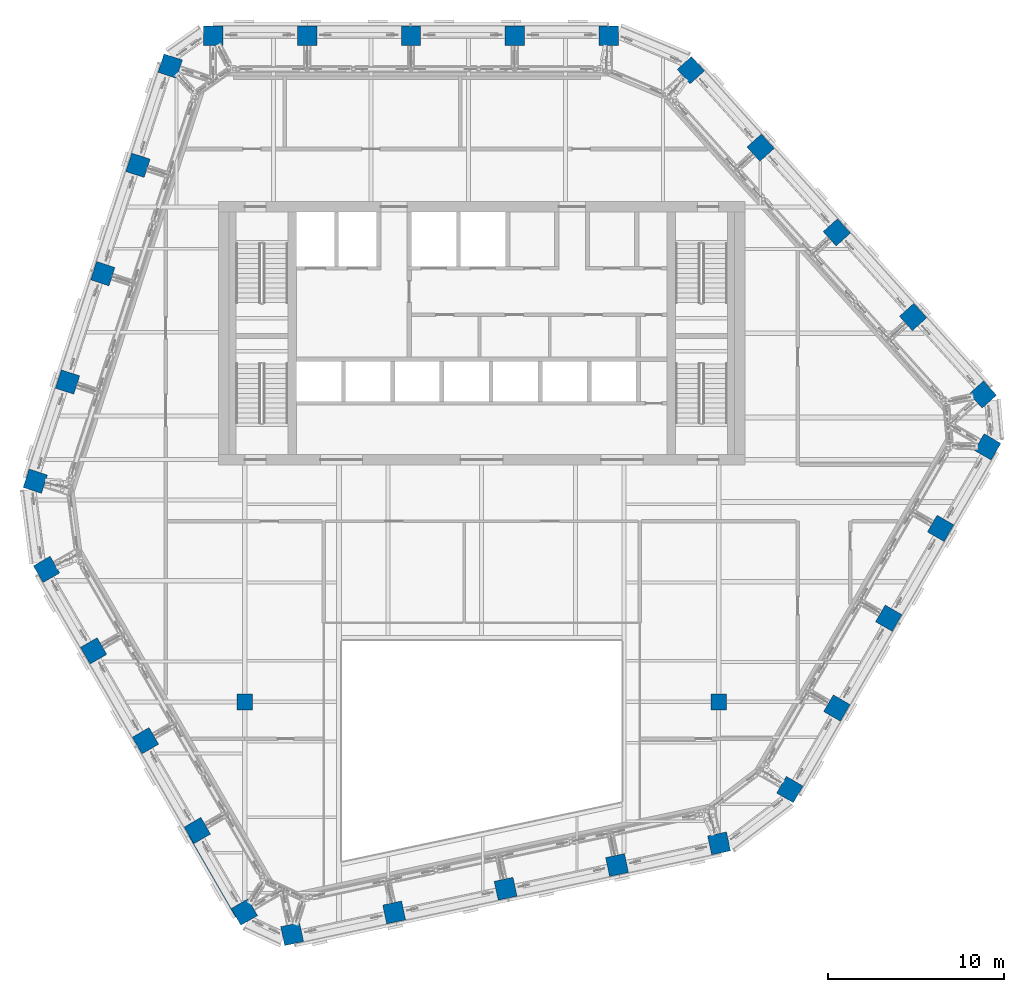
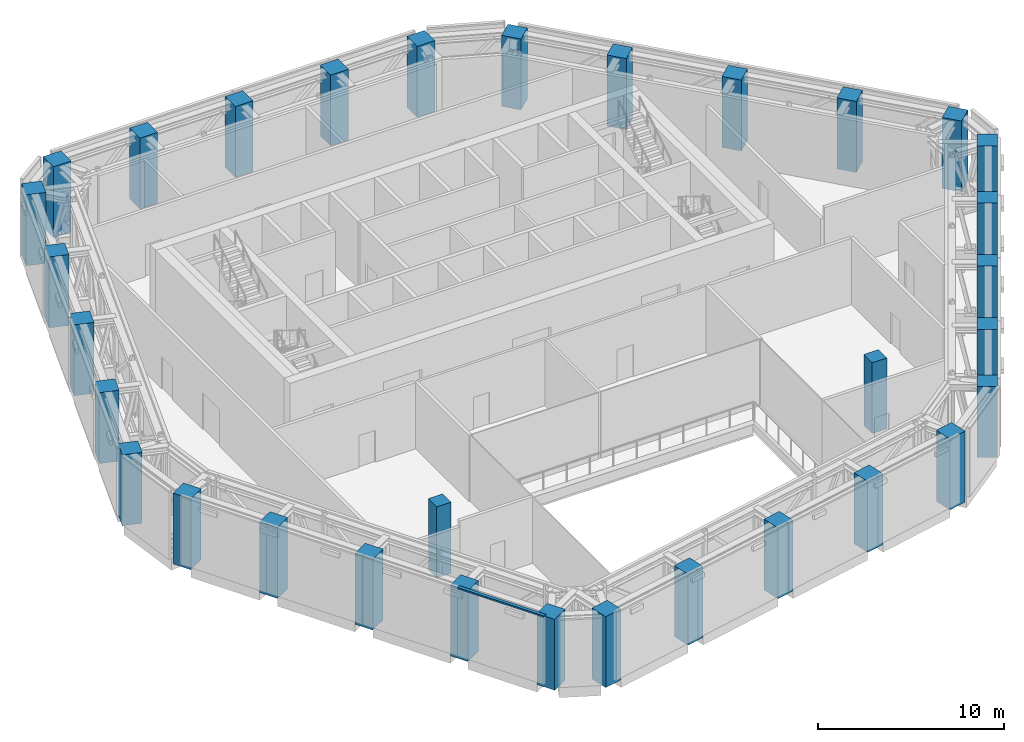
# One storey, part 1 of 25: 32 columns, 1 member, 1 element without a shape of its own.
"""IFC4 building model written with IfcOpenShell, lengths in metres."""

import ifcopenshell
import ifcopenshell.guid

model = None  # the IFC model being written
_history = None  # IfcOwnerHistory: only IFC2X3 demands one
_inside = {}  # id of a spatial element -> (the spatial element, [elements in it])
_under = {}  # id of a project, library or spatial element -> (it, [spatial elements below it])
_declared = {}  # id of a project -> (the project, [libraries it declares])
_typed = {}  # id of a type object -> (the type object, [elements of that type])
_made_of = {}  # id of a material, layer set ... -> (it, [elements and type objects made of it])


def new_model(schema):
    """Start an empty IFC model of exactly this schema.

    Asked for "IFC4X3", IfcOpenShell would pick the latest addendum, in which some entities
    have other attributes; the version numbers below select the first issue.
    IFC2X3 requires an IfcOwnerHistory on every rooted entity: one is made here for all.
    """
    global model, _history
    if schema == "IFC4X3":
        model = ifcopenshell.file(schema_version=(4, 3, 0, 0))
    else:
        model = ifcopenshell.file(schema=schema)
    _inside.clear()
    _under.clear()
    _declared.clear()
    _typed.clear()
    _made_of.clear()
    _history = None
    if model.schema == "IFC2X3":
        org = make("IfcOrganization", Name="unknown")
        user = make(
            "IfcPersonAndOrganization",
            ThePerson=make("IfcPerson", FamilyName="unknown"),
            TheOrganization=org,
        )
        app = make(
            "IfcApplication",
            ApplicationDeveloper=org,
            Version="unknown",
            ApplicationFullName="unknown",
            ApplicationIdentifier="unknown",
        )
        _history = make(
            "IfcOwnerHistory",
            OwningUser=user,
            OwningApplication=app,
            ChangeAction="ADDED",
            CreationDate=0,
        )
    return model


def make(cls, **values):
    """One entity of the class cls with the attributes given. An attribute that is None is left unset."""
    return model.create_entity(
        cls, **{name: value for name, value in values.items() if value is not None}
    )


def rooted(cls, **values):
    """An entity with a GlobalId (a new one), such as an element, a storey or a relation."""
    return make(cls, GlobalId=ifcopenshell.guid.new(), OwnerHistory=_history, **values)


def si_unit(unit_type, name, prefix=None):
    """IfcSIUnit, for example si_unit("LENGTHUNIT", "METRE", prefix="MILLI")."""
    return make("IfcSIUnit", UnitType=unit_type, Prefix=prefix, Name=name)


def assignment(units):
    """IfcUnitAssignment: the units of a project."""
    return None if units is None else make("IfcUnitAssignment", Units=units)


def point(xyz):
    """IfcCartesianPoint."""
    return None if xyz is None else make("IfcCartesianPoint", Coordinates=xyz)


def direction(xyz):
    """IfcDirection."""
    return None if xyz is None else make("IfcDirection", DirectionRatios=xyz)


def frame(location, z_axis=None, x_axis=None):
    """IfcAxis2Placement3D, a coordinate frame: its origin and axes. An axis left out is left unset."""
    return make(
        "IfcAxis2Placement3D",
        Location=point(location),
        Axis=direction(z_axis),
        RefDirection=direction(x_axis),
    )


def frame_2d(location, x_axis=None):
    """IfcAxis2Placement2D, a coordinate frame in the plane: its origin and x axis."""
    return make(
        "IfcAxis2Placement2D", Location=point(location), RefDirection=direction(x_axis)
    )


def origin():
    """The frame at (0, 0, 0) with its axes left unset."""
    return frame((0.0, 0.0, 0.0))


def origin_2d():
    """The frame at (0, 0) in the plane with its x axis left unset."""
    return frame_2d((0.0, 0.0))


def place(relative_to, where):
    """IfcLocalPlacement: puts the frame where relative to a parent placement (None: the world)."""
    return make(
        "IfcLocalPlacement", PlacementRelTo=relative_to, RelativePlacement=where
    )


def context(
    kind, dimensions, precision=None, world=None, true_north=None, identifier=None
):
    """IfcGeometricRepresentationContext, for example the 3D "Model" context."""
    return make(
        "IfcGeometricRepresentationContext",
        ContextIdentifier=identifier,
        ContextType=kind,
        CoordinateSpaceDimension=dimensions,
        Precision=precision,
        WorldCoordinateSystem=world,
        TrueNorth=true_north,
    )


def subcontext(parent, identifier, kind, view, scale=None):
    """IfcGeometricRepresentationSubContext, for example "Body" below "Model"."""
    return make(
        "IfcGeometricRepresentationSubContext",
        ContextIdentifier=identifier,
        ContextType=kind,
        ParentContext=parent,
        TargetScale=scale,
        TargetView=view,
    )


def project(units=None, contexts=None):
    """IfcProject with its units and contexts."""
    return rooted(
        "IfcProject",
        Name="project",
        RepresentationContexts=contexts,
        UnitsInContext=assignment(units),
    )


def spatial(cls, under=None, at=None, **own):
    """A site, building, storey or space (cls), placed at a placement, below another one or the project."""
    s = rooted(cls, ObjectPlacement=at, **own)
    if under is not None:
        _under.setdefault(under.id(), (under, []))[1].append(s)
    return s


def profile(cls, at=None, kind="AREA", **sizes):
    """A parametric profile (cls). Its sizes go by their IFC names, for example OverallWidth=200.0."""
    return make(cls, ProfileType=kind, Position=at, **sizes)


def rectangle(**sizes):
    """IfcRectangleProfileDef."""
    return profile("IfcRectangleProfileDef", **sizes)


def extrude(swept, where, along, depth):
    """IfcExtrudedAreaSolid: the profile swept, set in the frame where, extruded along a direction by depth."""
    return make(
        "IfcExtrudedAreaSolid",
        SweptArea=swept,
        Position=where,
        ExtrudedDirection=direction(along),
        Depth=depth,
    )


def shape(context_of_items, identifier, shape_type, items):
    """IfcShapeRepresentation: the items that make up one representation, for example the "Body"."""
    return make(
        "IfcShapeRepresentation",
        ContextOfItems=context_of_items,
        RepresentationIdentifier=identifier,
        RepresentationType=shape_type,
        Items=items,
    )


def material(Name=None, Category=None):
    """IfcMaterial."""
    return make("IfcMaterial", Name=Name, Category=Category)


def layer(
    of_material, thickness, ventilated=None, Name=None, Category=None, Priority=None
):
    """IfcMaterialLayer: one layer of a wall or slab, of a material (None: an air gap)."""
    return make(
        "IfcMaterialLayer",
        Material=of_material,
        LayerThickness=thickness,
        IsVentilated=ventilated,
        Name=Name,
        Category=Category,
        Priority=Priority,
    )


def layer_set(layers, Name=None):
    """IfcMaterialLayerSet."""
    return make("IfcMaterialLayerSet", MaterialLayers=layers, LayerSetName=Name)


def material_profile(
    of_material, cross_section, Name=None, Category=None, Priority=None
):
    """IfcMaterialProfile: a cross section and its material."""
    return make(
        "IfcMaterialProfile",
        Name=Name,
        Material=of_material,
        Profile=cross_section,
        Priority=Priority,
        Category=Category,
    )


def profile_set(profiles, Name=None, composite=None):
    """IfcMaterialProfileSet."""
    return make(
        "IfcMaterialProfileSet",
        Name=Name,
        MaterialProfiles=profiles,
        CompositeProfile=composite,
    )


def made_of(thing, what):
    """Note that an element or type object is made of a material, layer set ...; save() writes the relation."""
    if what is not None:
        _made_of.setdefault(what.id(), (what, []))[1].append(thing)
    return thing


def type_object(cls, material=None, **own):
    """A type object (cls), such as IfcWallType, which elements share."""
    return made_of(rooted(cls, **own), material)


def element(
    cls,
    number,
    at=None,
    inside=None,
    cuts=None,
    type_object=None,
    material=None,
    context=None,
    identifier="Body",
    shape_type=None,
    held_by="IfcProductDefinitionShape",
    body=None,
    shapes=None,
    **own,
):
    """One element of the class cls, such as IfcWall. Its Tag is "e" and its number.

    at: its placement. inside: the storey or other place that contains it. cuts: it is an
    opening in that element (IfcRelVoidsElement). A single representation is given by context,
    identifier, shape_type and body (its items); several are given by shapes. held_by: the class
    of the entity that holds the representations. save() writes the other relations.
    """
    e = rooted(cls, Tag="e%d" % number, ObjectPlacement=at, **own)
    if body is not None:
        shapes = [shape(context, identifier, shape_type, body)]
    if shapes is not None:
        e.Representation = make(held_by, Representations=shapes)
    if inside is not None:
        _inside.setdefault(inside.id(), (inside, []))[1].append(e)
    if cuts is not None:
        rooted(
            "IfcRelVoidsElement", RelatingBuildingElement=cuts, RelatedOpeningElement=e
        )
    if type_object is not None:
        _typed.setdefault(type_object.id(), (type_object, []))[1].append(e)
    return made_of(e, material)


def aggregate(whole, parts):
    """IfcRelAggregates: a whole, such as a stair, and the parts it consists of."""
    return rooted("IfcRelAggregates", RelatingObject=whole, RelatedObjects=parts)


def save(model, path):
    """Write the relations noted so far, then the file.

    IfcRelAggregates (storeys below a building ...), IfcRelContainedInSpatialStructure (elements
    in a storey), IfcRelDefinesByType, IfcRelAssociatesMaterial and IfcRelDeclares: one each for
    every whole, place, type object, material and project.
    """
    for whole, parts in _under.values():
        aggregate(whole, parts)
    for where, things in _inside.values():
        rooted(
            "IfcRelContainedInSpatialStructure",
            RelatedElements=things,
            RelatingStructure=where,
        )
    for kind, things in _typed.values():
        rooted("IfcRelDefinesByType", RelatedObjects=things, RelatingType=kind)
    for what, things in _made_of.values():
        rooted("IfcRelAssociatesMaterial", RelatedObjects=things, RelatingMaterial=what)
    for by, libraries in _declared.values():
        rooted("IfcRelDeclares", RelatingContext=by, RelatedDefinitions=libraries)
    model.write(path)


model = new_model("IFC4")

# Units and contexts
model_context = context("Model", 3, precision=1e-05, world=origin(), true_north=direction((0.0, 1.0)))
body_context = subcontext(model_context, "Body", "Model", "MODEL_VIEW")
ifc_project = project(units=[si_unit("LENGTHUNIT", "METRE"), si_unit("AREAUNIT", "SQUARE_METRE"), si_unit("VOLUMEUNIT", "CUBIC_METRE"), si_unit("PLANEANGLEUNIT", "RADIAN"), si_unit("MASSUNIT", "GRAM", prefix="KILO")], contexts=[model_context])

# Site, building, storey
site_placement = place(None, origin())
site = spatial("IfcSite", under=ifc_project, at=site_placement, CompositionType="ELEMENT")
building_placement = place(site_placement, origin())
building = spatial("IfcBuilding", under=site, at=building_placement, Name="Isthmus Gate Tower", CompositionType="ELEMENT")
storey_placement = place(building_placement, frame((0.0, 0.0, 256.449951171875)))
storey = spatial("IfcBuildingStorey", under=building, at=storey_placement, Name="L65", CompositionType="ELEMENT", Elevation=256.449951171875)

# Columns
ifc_material_1 = material(Name="Concrete f'c 50 MPa", Category="concrete")
ifc_material_profile_1 = material_profile(ifc_material_1, rectangle(XDim=0.89990234375, YDim=0.89990234375, at=origin_2d()), Name="RC 900X900")
ifc_profile_set_1 = profile_set([ifc_material_profile_1], Name="Concrete f'c 50 MPa")
column_type_1 = type_object("IfcColumnType", Name="RC INTERIOR COLUMN 900 X 900", PredefinedType="COLUMN", material=ifc_profile_set_1)
for number, where, z_axis, x_axis, name in (
    (1, (-13.5, -13.5, -0.300048828125), (0.0, 0.0, 1.0), (1.0, 0.0, 0.0), "str-icol-L65-ICB2"),
    (2, (13.5, -13.5, -0.300048828125), (0.0, 0.0, 1.0), (1.0, 0.0, 0.0), "str-icol-L65-ICD2"),
):
    element("IfcColumn", number, at=place(storey_placement, frame(where, z_axis=z_axis, x_axis=x_axis)), inside=storey, type_object=column_type_1, Name=name, PredefinedType="COLUMN", context=body_context, shape_type="SweptSolid", body=[
        extrude(rectangle(XDim=0.89990234375, YDim=0.89990234375, at=origin_2d()), origin(), (0.0, 0.0, 1.0), 4.650146484375),
    ])
ifc_material_2 = material(Name="Concrete f'c 50 MPa", Category="concrete")
ifc_material_profile_2 = material_profile(ifc_material_2, rectangle(XDim=1.10009765625, YDim=1.10009765625, at=origin_2d()), Name="RC 1100X1100")
ifc_profile_set_2 = profile_set([ifc_material_profile_2], Name="Concrete f'c 50 MPa")
column_type_2 = type_object("IfcColumnType", Name="RC TUBE COLUMN 1100 X 1100", PredefinedType="COLUMN", material=ifc_profile_set_2)
for number, where, z_axis, x_axis, name in (
    (3, (7.2412109375, 24.449951171875, -0.300048828125), (0.0, 0.0, 1.0), (-1.0, 0.0, 0.0), "str-tcol-L65-T3N0"),
    (4, (1.880615234375, 24.449951171875, -0.300048828125), (0.0, 0.0, 1.0), (-1.0, 0.0, 0.0), "str-tcol-L65-T3N1"),
    (5, (-4.030029296875, 24.449951171875, -0.300048828125), (0.0, 0.0, 1.0), (-1.0, 0.0, 0.0), "str-tcol-L65-T3N2"),
    (6, (-9.940673828125, 24.449951171875, -0.300048828125), (0.0, 0.0, 1.0), (-1.0, 0.0, 0.0), "str-tcol-L65-T3N3"),
    (7, (-15.30126953125, 24.449951171875, -0.300048828125), (0.0, 0.0, 1.0), (-1.0, 0.0, 0.0), "str-tcol-L65-T3N4"),
    (8, (-17.7509765625, 22.721923828125, -0.300048828125), (0.0, 0.0, 1.0), (-0.309016994375, -0.951056516295, 0.0), "str-tcol-L65-T3NW0"),
    (9, (-19.587158203125, 17.07080078125, -0.300048828125), (0.0, 0.0, 1.0), (-0.309016994375, -0.951056516295, 0.0), "str-tcol-L65-T3NW1"),
    (10, (-21.59326171875, 10.896728515625, -0.300048828125), (0.0, 0.0, 1.0), (-0.309016994375, -0.951056516295, 0.0), "str-tcol-L65-T3NW2"),
    (11, (-23.599365234375, 4.72265625, -0.300048828125), (0.0, 0.0, 1.0), (-0.309016994375, -0.951056516295, 0.0), "str-tcol-L65-T3NW3"),
    (12, (-25.435546875, -0.928466796875, -0.300048828125), (0.0, 0.0, 1.0), (-0.309016994375, -0.951056516295, 0.0), "str-tcol-L65-T3NW4"),
    (13, (-24.794921875, -5.9541015625, -0.300048828125), (0.0, 0.0, 1.0), (0.5, -0.866025403784, 0.0), "str-tcol-L65-T3SW0"),
    (14, (-22.114501953125, -10.596435546875, -0.300048828125), (0.0, 0.0, 1.0), (0.5, -0.866025403784, 0.0), "str-tcol-L65-T3SW1"),
    (15, (-19.1591796875, -15.715087890625, -0.300048828125), (0.0, 0.0, 1.0), (0.5, -0.866025403784, 0.0), "str-tcol-L65-T3SW2"),
    (16, (-16.2041015625, -20.833984375, -0.300048828125), (0.0, 0.0, 1.0), (0.5, -0.866025403784, 0.0), "str-tcol-L65-T3SW3"),
    (17, (-13.523681640625, -25.476318359375, -0.300048828125), (0.0, 0.0, 1.0), (0.5, -0.866025403784, 0.0), "str-tcol-L65-T3SW4"),
    (18, (-10.80224609375, -26.73388671875, -0.300048828125), (0.0, 0.0, 1.0), (0.978147600734, 0.207911690818, 0.0), "str-tcol-L65-T3S0"),
    (19, (-4.990234375, -25.498291015625, -0.300048828125), (0.0, 0.0, 1.0), (0.978147600734, 0.207911690818, 0.0), "str-tcol-L65-T3S1"),
    (20, (1.35986328125, -24.148681640625, -0.300048828125), (0.0, 0.0, 1.0), (0.978147600734, 0.207911690818, 0.0), "str-tcol-L65-T3S2"),
    (21, (7.7099609375, -22.798828125, -0.300048828125), (0.0, 0.0, 1.0), (0.978147600734, 0.207911690818, 0.0), "str-tcol-L65-T3S3"),
    (22, (13.52197265625, -21.5634765625, -0.300048828125), (0.0, 0.0, 1.0), (0.978147600734, 0.207911690818, 0.0), "str-tcol-L65-T3S4"),
    (23, (17.5537109375, -18.495849609375, -0.300048828125), (0.0, 0.0, 1.0), (0.5, 0.866025403784, 0.0), "str-tcol-L65-T3SE0"),
    (24, (20.234130859375, -13.853515625, -0.300048828125), (0.0, 0.0, 1.0), (0.5, 0.866025403784, 0.0), "str-tcol-L65-T3SE1"),
    (25, (23.189453125, -8.73486328125, -0.300048828125), (0.0, 0.0, 1.0), (0.5, 0.866025403784, 0.0), "str-tcol-L65-T3SE2"),
    (26, (26.144775390625, -3.6162109375, -0.300048828125), (0.0, 0.0, 1.0), (0.5, 0.866025403784, 0.0), "str-tcol-L65-T3SE3"),
    (27, (28.824951171875, 1.0263671875, -0.300048828125), (0.0, 0.0, 1.0), (0.5, 0.866025403784, 0.0), "str-tcol-L65-T3SE4"),
    (28, (28.55322265625, 4.011962890625, -0.300048828125), (0.0, 0.0, 1.0), (-0.669130606359, 0.743144825477, 0.0), "str-tcol-L65-T3NE0"),
    (29, (24.577392578125, 8.427490234375, -0.300048828125), (0.0, 0.0, 1.0), (-0.669130606359, 0.743144825477, 0.0), "str-tcol-L65-T3NE1"),
    (30, (20.2333984375, 13.251953125, -0.300048828125), (0.0, 0.0, 1.0), (-0.669130606359, 0.743144825477, 0.0), "str-tcol-L65-T3NE2"),
    (31, (15.8896484375, 18.076416015625, -0.300048828125), (0.0, 0.0, 1.0), (-0.669130606359, 0.743144825477, 0.0), "str-tcol-L65-T3NE3"),
    (32, (11.91357421875, 22.4921875, -0.300048828125), (0.0, 0.0, 1.0), (-0.669130606359, 0.743144825477, 0.0), "str-tcol-L65-T3NE4"),
):
    element("IfcColumn", number, at=place(storey_placement, frame(where, z_axis=z_axis, x_axis=x_axis)), inside=storey, type_object=column_type_2, Name=name, PredefinedType="COLUMN", context=body_context, shape_type="SweptSolid", body=[
        extrude(rectangle(XDim=1.10009765625, YDim=1.10009765625, at=origin_2d()), origin(), (0.0, 0.0, 1.0), 4.650146484375),
    ])

# Curtain wall, member
ifc_material_3 = material(Name="Aluminium, pale champagne anodised", Category="aluminium")
ifc_layer = layer(ifc_material_3, 0.199951171875)
ifc_layer_set = layer_set([ifc_layer], Name="CW-2 LOUVRE CURTAIN WALL 200 DEEP")
curtain_wall_type = type_object("IfcCurtainWallType", Name="CW-2 LOUVRE CURTAIN WALL 200 DEEP", PredefinedType="NOTDEFINED", material=ifc_layer_set)
curtain_wall_placement = place(storey_placement, origin())
curtain_wall = element("IfcCurtainWall", 33, at=curtain_wall_placement, inside=storey, type_object=curtain_wall_type, Name="CW-2 SW L65", PredefinedType="NOTDEFINED")
ifc_material_4 = material(Name="Aluminium, pale champagne anodised", Category="aluminium")
ifc_material_profile_3 = material_profile(ifc_material_4, rectangle(XDim=0.199951171875, YDim=0.10009765625, at=origin_2d()), Name="200x100")
ifc_profile_set_3 = profile_set([ifc_material_profile_3], Name="Aluminium, pale champagne anodised")
member_type = type_object("IfcMemberType", Name="CW-2 TRANSOM 200 X 100", PredefinedType="USERDEFINED", material=ifc_profile_set_3)
member_placement = place(storey_placement, frame((-16.766845703125, -21.158935546875, 4.449951171875), z_axis=(0.499989227444, -0.866031623233, 0.0), x_axis=(0.866031623233, 0.499989227444, 0.0)))
member = element("IfcMember", 34, at=member_placement, type_object=member_type, Name="CW-2 transom", ObjectType="TRANSOM", PredefinedType="USERDEFINED", context=body_context, shape_type="SweptSolid", body=[
    extrude(rectangle(XDim=0.199951171875, YDim=0.10009765625, at=origin_2d()), origin(), (0.0, 0.0, 1.0), 5.3603515625),
])
aggregate(curtain_wall, [member])

save(model, "model.ifc")
